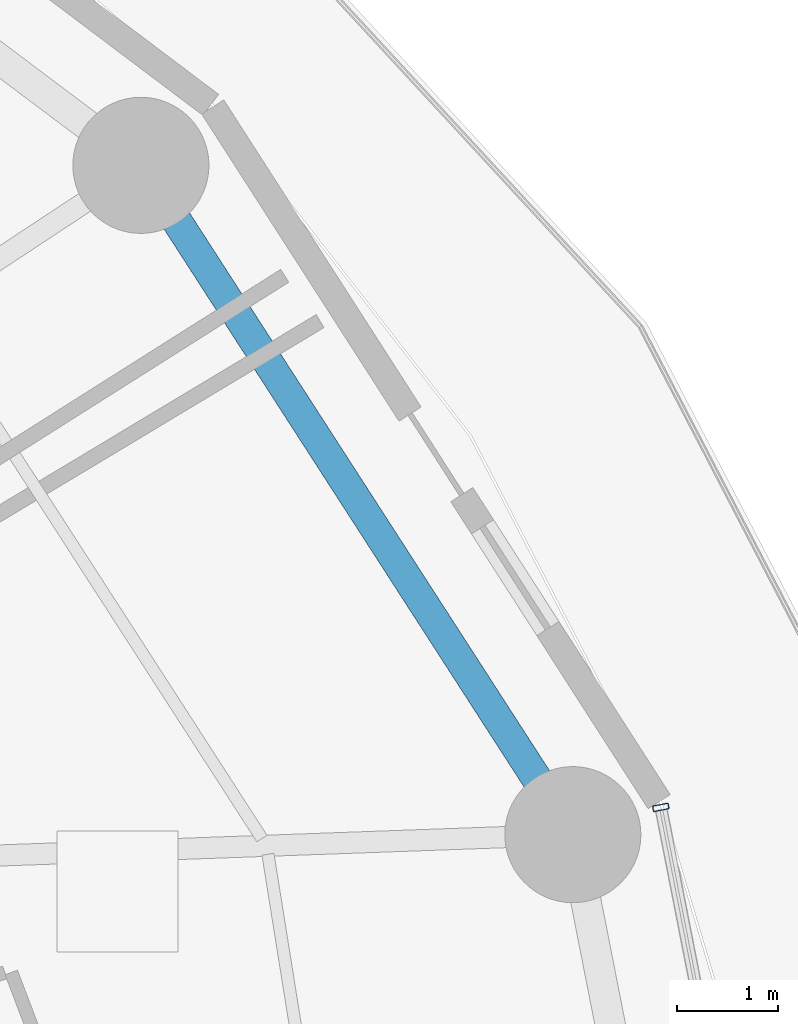
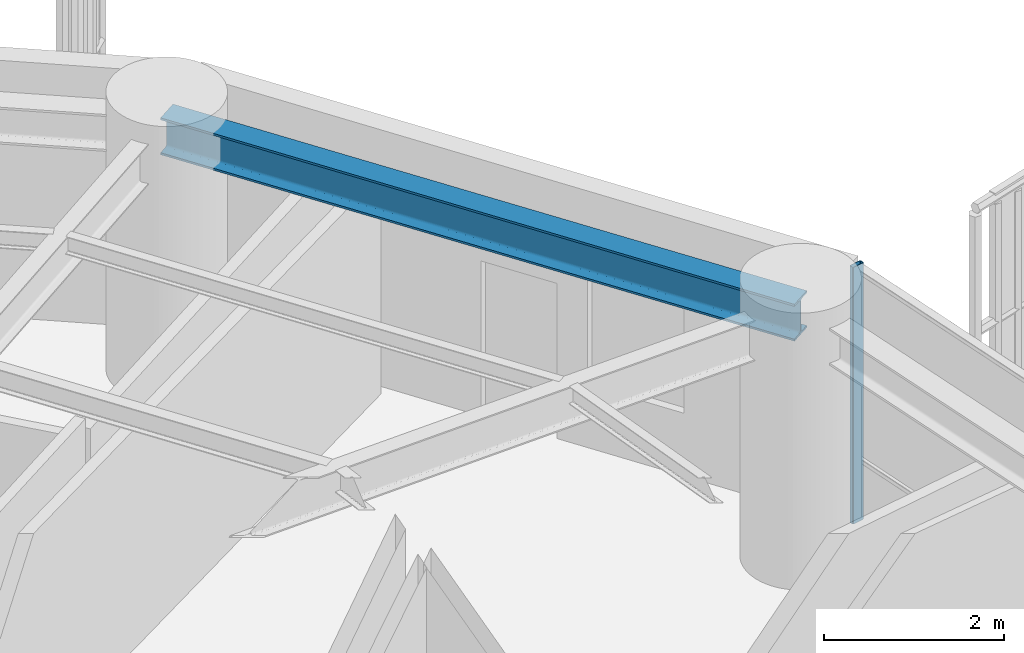
# One storey, part 23 of 33: 1 beam, 1 member, 1 element without a shape of its own.
"""IFC4 building model written with IfcOpenShell, lengths in metres."""

from ifc_helpers import new_model, si_unit, direction, frame, origin, origin_2d, place, context, subcontext, project, spatial, hollow_rectangle, i_section, extrude, material, layer, layer_set, material_profile, profile_set, type_object, element, aggregate, save


model = new_model("IFC4")

# Units and contexts
model_context = context("Model", 3, precision=1e-05, world=origin(), true_north=direction((0.0, 1.0)))
body_context = subcontext(model_context, "Body", "Model", "MODEL_VIEW")
ifc_project = project(units=[si_unit("LENGTHUNIT", "METRE"), si_unit("AREAUNIT", "SQUARE_METRE"), si_unit("VOLUMEUNIT", "CUBIC_METRE"), si_unit("PLANEANGLEUNIT", "RADIAN"), si_unit("MASSUNIT", "GRAM", prefix="KILO")], contexts=[model_context])

# Site, building, storey
site_placement = place(None, origin())
site = spatial("IfcSite", under=ifc_project, at=site_placement, CompositionType="ELEMENT")
building_placement = place(site_placement, origin())
building = spatial("IfcBuilding", under=site, at=building_placement, Name="Kelanora Arch Commons", CompositionType="ELEMENT")
storey_placement = place(building_placement, frame((0.0, 0.0, 83.85009765625)))
storey = spatial("IfcBuildingStorey", under=building, at=storey_placement, Name="L21", CompositionType="ELEMENT", Elevation=83.85009765625)

# Beam
ifc_material_1 = material(Name="Steel S355", Category="steel")
ifc_material_profile_1 = material_profile(ifc_material_1, i_section(OverallWidth=0.300048828125, OverallDepth=0.5, WebThickness=0.014404296875, FlangeThickness=0.028076171875, FilletRadius=0.027099609375, at=origin_2d()), Name="HEB500")
ifc_profile_set_1 = profile_set([ifc_material_profile_1], Name="Steel S355")
beam_type = type_object("IfcBeamType", Name="BM-SPN-Z2", PredefinedType="SPANDREL", material=ifc_profile_set_1)
beam_placement = place(storey_placement, frame((97.191650390625, 65.5517578125, 3.239990234375), z_axis=(-0.542221144054, 0.840235818649, 0.0), x_axis=(-0.840235818649, -0.542221144054, 0.0)))
element("IfcBeam", 1, at=beam_placement, inside=storey, type_object=beam_type, Name="Perimeter Spandrel Beam BS-02 L21", PredefinedType="SPANDREL", context=body_context, shape_type="SweptSolid", body=[
    extrude(i_section(OverallWidth=0.300048828125, OverallDepth=0.5, WebThickness=0.014404296875, FlangeThickness=0.028076171875, FilletRadius=0.027099609375, at=origin_2d()), origin(), (0.0, 0.0, 1.0), 7.90380859375),
])

# Curtain wall, member
ifc_material_2 = material(Name="Terracotta ceramic-fritted low-E glass and aluminium", Category="masonry")
ifc_layer = layer(ifc_material_2, 0.159912109375)
ifc_layer_set = layer_set([ifc_layer], Name="Terracotta ceramic-fritted low-E glass and aluminium")
curtain_wall_type = type_object("IfcCurtainWallType", Name="CW-SYS-01", PredefinedType="NOTDEFINED", material=ifc_layer_set)
curtain_wall_placement = place(storey_placement, origin())
curtain_wall = element("IfcCurtainWall", 2, at=curtain_wall_placement, inside=storey, type_object=curtain_wall_type, Name="Unitised Curtain Wall L21-B00", PredefinedType="NOTDEFINED")
ifc_material_3 = material(Name="Powder-coated aluminium terracotta", Category="masonry")
ifc_material_profile_2 = material_profile(ifc_material_3, hollow_rectangle(XDim=0.159912109375, YDim=0.06005859375, WallThickness=0.0048828125, InnerFilletRadius=0.0048828125, OuterFilletRadius=0.010009765625, at=origin_2d()), Name="CWM160x60")
ifc_profile_set_2 = profile_set([ifc_material_profile_2], Name="Powder-coated aluminium terracotta")
member_type = type_object("IfcMemberType", Name="CWM-STD", PredefinedType="MULLION", material=ifc_profile_set_2)
member_placement = place(storey_placement, frame((98.064697265625, 65.822265625, 0.0), z_axis=(0.0, 0.0, 1.0), x_axis=(-0.981280311646, -0.192584916272, 0.0)))
member = element("IfcMember", 3, at=member_placement, type_object=member_type, Name="CW-01 mullion 3", PredefinedType="MULLION", context=body_context, shape_type="SweptSolid", body=[
    extrude(hollow_rectangle(XDim=0.159912109375, YDim=0.06005859375, WallThickness=0.0048828125, InnerFilletRadius=0.0048828125, OuterFilletRadius=0.010009765625, at=origin_2d()), origin(), (0.0, 0.0, 1.0), 3.474853515625),
])
aggregate(curtain_wall, [member])

save(model, "model.ifc")
